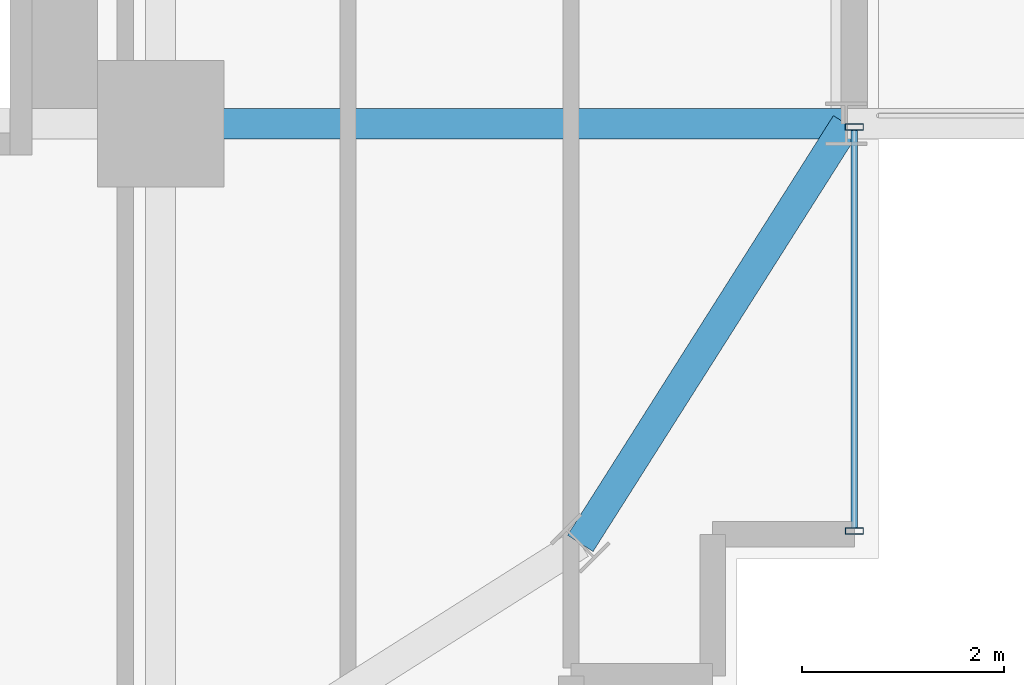
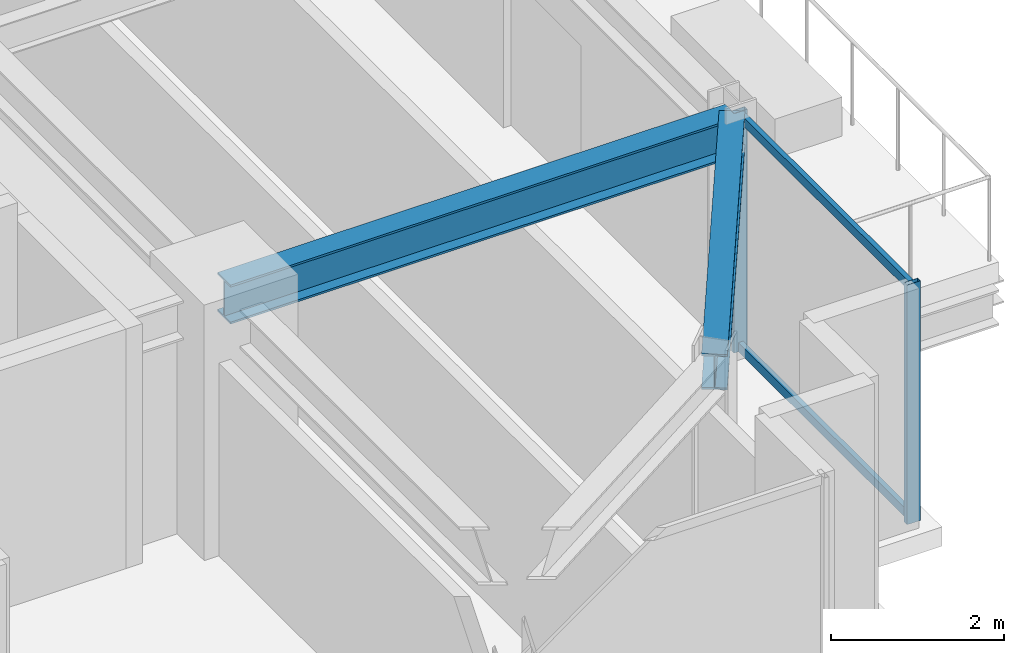
# One storey, part 11 of 34: 4 members, 2 beams, 1 element without a shape of its own.
"""IFC4 building model written with IfcOpenShell, lengths in metres."""

from ifc_helpers import new_model, si_unit, direction, frame, origin, origin_2d, place, context, subcontext, project, spatial, hollow_rectangle, i_section, extrude, source, transform, mapped, material, material_profile, profile_set, type_object, element, aggregate, save


model = new_model("IFC4")

# Units and contexts
model_context = context("Model", 3, precision=1e-05, world=origin(), true_north=direction((0.0, 1.0)))
body_context = subcontext(model_context, "Body", "Model", "MODEL_VIEW")
ifc_project = project(units=[si_unit("LENGTHUNIT", "METRE"), si_unit("AREAUNIT", "SQUARE_METRE"), si_unit("VOLUMEUNIT", "CUBIC_METRE"), si_unit("PLANEANGLEUNIT", "RADIAN"), si_unit("MASSUNIT", "GRAM", prefix="KILO")], contexts=[model_context])

# Site, building, storey
site_placement = place(None, origin())
site = spatial("IfcSite", under=ifc_project, at=site_placement, CompositionType="ELEMENT")
building_placement = place(site_placement, origin())
building = spatial("IfcBuilding", under=site, at=building_placement, Name="Nahalor Promenade Grand Hotel", CompositionType="ELEMENT")
storey_placement = place(building_placement, frame((0.0, 0.0, 128.449951171875)))
storey = spatial("IfcBuildingStorey", under=building, at=storey_placement, Name="L32", CompositionType="ELEMENT", Elevation=128.449951171875)

# Beams
ifc_material_1 = material(Name="Steel S355JR", Category="steel")
ifc_material_profile_1 = material_profile(ifc_material_1, i_section(OverallWidth=0.3, OverallDepth=0.5, WebThickness=0.0145, FlangeThickness=0.028, at=origin_2d()), Name="HEB 500")
ifc_profile_set_1 = profile_set([ifc_material_profile_1], Name="Steel S355JR")
beam_type_1 = type_object("IfcBeamType", Name="Beam-Spandrel-HEB500", PredefinedType="SPANDREL", material=ifc_profile_set_1)
shared_shape_1 = source(origin(), body_context, "Body", "SweptSolid", [
    extrude(i_section(OverallWidth=0.3, OverallDepth=0.5, WebThickness=0.0145, FlangeThickness=0.028, at=origin_2d()), origin(), (0.0, 0.0, 1.0), 4.9130859375),
])
beam_1_placement = place(storey_placement, frame((21.14990234375, -21.14990234375, 3.130126953125), z_axis=(0.535321591403, 0.844648325505, 0.0), x_axis=(-0.844648325505, 0.535321591403, 0.0)))
element("IfcBeam", 1, at=beam_1_placement, inside=storey, type_object=beam_type_1, Name="BM-L32-SPC-SE-2", PredefinedType="SPANDREL", context=body_context, shape_type="MappedRepresentation", body=[
    mapped(shared_shape_1, transform((0.0, 0.0, 0.0), scale=1.0)),
])
ifc_material_profile_2 = material_profile(ifc_material_1, i_section(OverallWidth=0.3, OverallDepth=0.55, WebThickness=0.015, FlangeThickness=0.029, at=origin_2d()), Name="HEB 550")
ifc_profile_set_2 = profile_set([ifc_material_profile_2], Name="Steel S355JR")
beam_type_2 = type_object("IfcBeamType", Name="Beam-Girder-HEB550", PredefinedType="BEAM", material=ifc_profile_set_2)
shared_shape_2 = source(origin(), body_context, "Body", "SweptSolid", [
    extrude(i_section(OverallWidth=0.3, OverallDepth=0.55, WebThickness=0.015, FlangeThickness=0.029, at=origin_2d()), origin(), (0.0, 0.0, 1.0), 6.780029296875),
])
beam_2_placement = place(storey_placement, frame((17.0, -17.0, 3.10498046875), z_axis=(1.0, 0.0, 0.0), x_axis=(0.0, 1.0, 0.0)))
element("IfcBeam", 2, at=beam_2_placement, inside=storey, type_object=beam_type_2, Name="BM-L32-GX-0-6", PredefinedType="BEAM", context=body_context, shape_type="MappedRepresentation", body=[
    mapped(shared_shape_2, transform((0.0, 0.0, 0.0), scale=1.0)),
])

# Curtain wall, members
ifc_material_2 = material(Name="Anodised Bronze Aluminium EN AW-6063 T6", Category="aluminium")
curtain_wall_type = type_object("IfcCurtainWallType", Name="CW2 Typical Hotel Flush Bronze Unitised Curtain Wall", PredefinedType="USERDEFINED", material=ifc_material_2)
curtain_wall_placement = place(storey_placement, origin())
curtain_wall = element("IfcCurtainWall", 3, at=curtain_wall_placement, inside=storey, type_object=curtain_wall_type, Name="L32 Curtain Wall CW-L32-E-1", ObjectType="UNITISED_CURTAIN_WALL", PredefinedType="USERDEFINED")
ifc_material_profile_3 = material_profile(ifc_material_2, hollow_rectangle(XDim=0.065, YDim=0.13, WallThickness=0.004, at=origin_2d()), Name="CWT 65x130x4")
ifc_profile_set_3 = profile_set([ifc_material_profile_3], Name="Anodised Bronze Aluminium EN AW-6063 T6")
member_type_1 = type_object("IfcMemberType", Name="CWT2 Typical Bronze Transom 65x130", PredefinedType="USERDEFINED", material=ifc_profile_set_3)
shared_shape_3 = source(origin(), body_context, "Body", "SweptSolid", [
    extrude(hollow_rectangle(XDim=0.065, YDim=0.13, WallThickness=0.004, at=origin_2d()), origin(), (0.0, 0.0, 1.0), 3.93017578125),
])
member_1_placement = place(storey_placement, frame((23.860107421875, -20.9951171875, 0.06494140625), z_axis=(0.0, 1.0, 0.0), x_axis=(-1.0, 0.0, 0.0)))
member_1 = element("IfcMember", 4, at=member_1_placement, type_object=member_type_1, Name="CW-L32-E-1 Transom 0-0", ObjectType="TRANSOM", PredefinedType="USERDEFINED", context=body_context, shape_type="MappedRepresentation", body=[
    mapped(shared_shape_3, transform((0.0, 0.0, 0.0), scale=1.0)),
])
member_2_placement = place(storey_placement, frame((23.860107421875, -20.9951171875, 3.31494140625), z_axis=(0.0, 1.0, 0.0), x_axis=(-1.0, 0.0, 0.0)))
member_2 = element("IfcMember", 5, at=member_2_placement, type_object=member_type_1, Name="CW-L32-E-1 Transom 0-1", ObjectType="TRANSOM", PredefinedType="USERDEFINED", context=body_context, shape_type="MappedRepresentation", body=[
    mapped(shared_shape_3, transform((0.0, 0.0, 0.0), scale=1.0)),
])
ifc_material_profile_4 = material_profile(ifc_material_2, hollow_rectangle(XDim=0.065, YDim=0.18, WallThickness=0.004, at=origin_2d()), Name="CWM 65x180x4")
ifc_profile_set_4 = profile_set([ifc_material_profile_4], Name="Anodised Bronze Aluminium EN AW-6063 T6")
member_type_2 = type_object("IfcMemberType", Name="CWM2 Typical Bronze Mullion 65x180", PredefinedType="MULLION", material=ifc_profile_set_4)
shared_shape_4 = source(origin(), body_context, "Body", "SweptSolid", [
    extrude(hollow_rectangle(XDim=0.065, YDim=0.18, WallThickness=0.004, at=origin_2d()), origin(), (0.0, 0.0, 1.0), 3.380126953125),
])
member_3_placement = place(storey_placement, frame((23.860107421875, -21.027587890625, 0.0), z_axis=(0.0, 0.0, 1.0), x_axis=(0.0, 1.0, 0.0)))
member_3 = element("IfcMember", 6, at=member_3_placement, type_object=member_type_2, Name="CW-L32-E-1 Mullion 0", PredefinedType="MULLION", context=body_context, shape_type="MappedRepresentation", body=[
    mapped(shared_shape_4, transform((0.0, 0.0, 0.0), scale=1.0)),
])
member_4_placement = place(storey_placement, frame((23.860107421875, -17.032470703125, 0.0), z_axis=(0.0, 0.0, 1.0), x_axis=(0.0, 1.0, 0.0)))
member_4 = element("IfcMember", 7, at=member_4_placement, type_object=member_type_2, Name="CW-L32-E-1 Mullion 1", PredefinedType="MULLION", context=body_context, shape_type="MappedRepresentation", body=[
    mapped(shared_shape_4, transform((0.0, 0.0, 0.0), scale=1.0)),
])
aggregate(curtain_wall, [member_3, member_4, member_1, member_2])

save(model, "model.ifc")
